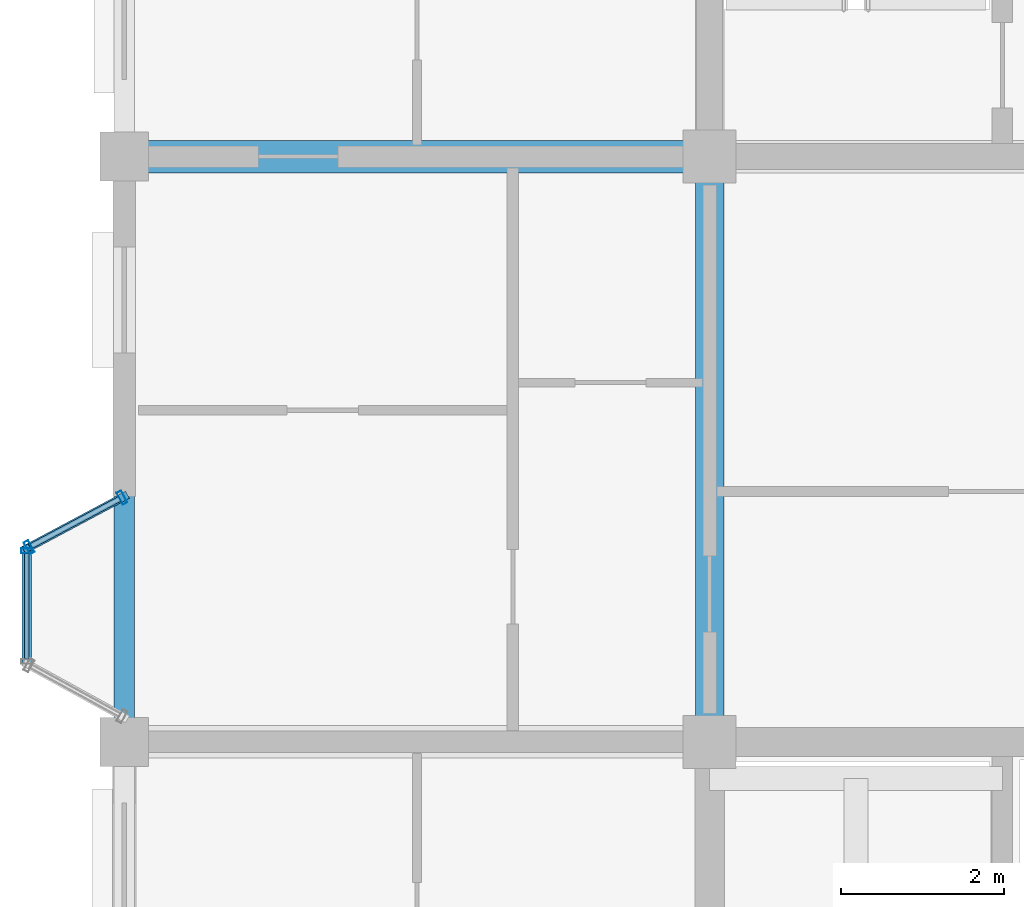
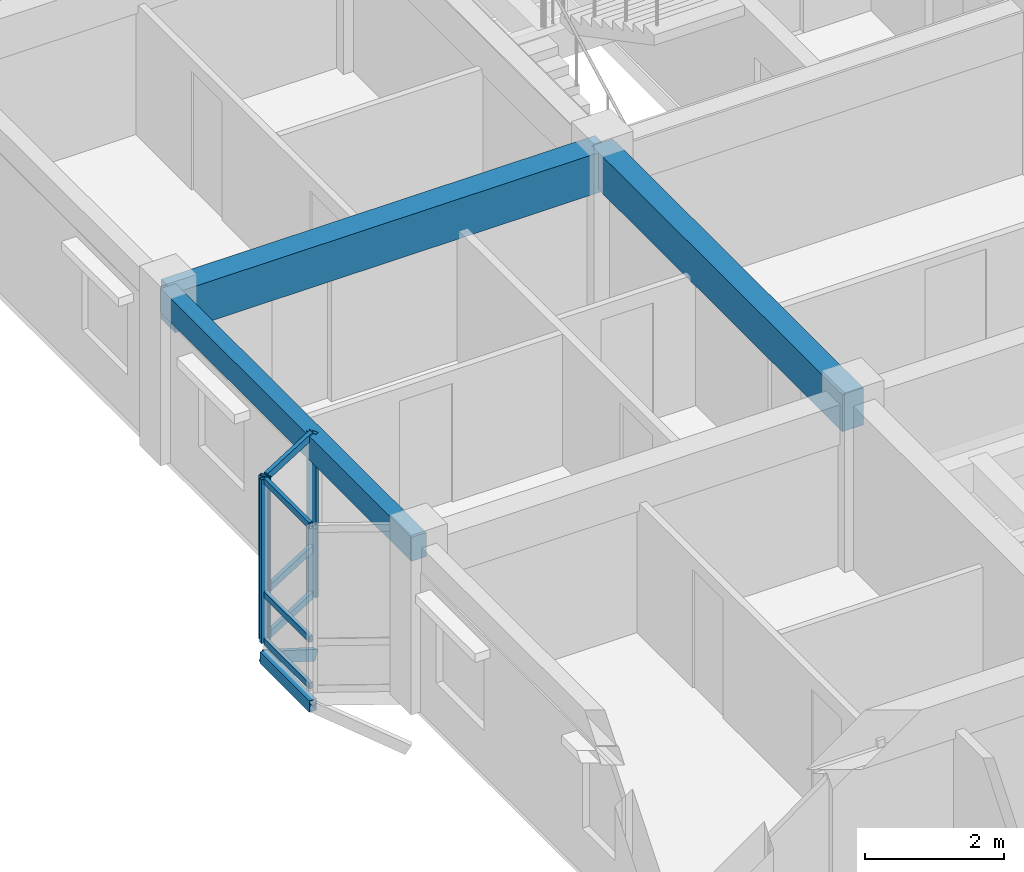
# One storey, part 9 of 124: 11 members, 3 beams, 2 elements without a shape of their own.
"""IFC4 building model written with IfcOpenShell, lengths in metres."""

from ifc_helpers import new_model, si_unit, direction, frame, origin, origin_2d, place, context, subcontext, project, spatial, rectangle, hollow_rectangle, extrude, material, layer, layer_set, material_profile, profile_set, type_object, element, aggregate, save


model = new_model("IFC4")

# Units and contexts
model_context = context("Model", 3, precision=1e-05, world=origin(), true_north=direction((0.0, 1.0)))
body_context = subcontext(model_context, "Body", "Model", "MODEL_VIEW")
ifc_project = project(units=[si_unit("LENGTHUNIT", "METRE"), si_unit("AREAUNIT", "SQUARE_METRE"), si_unit("VOLUMEUNIT", "CUBIC_METRE"), si_unit("PLANEANGLEUNIT", "RADIAN"), si_unit("MASSUNIT", "GRAM", prefix="KILO"), si_unit("THERMODYNAMICTEMPERATUREUNIT", "KELVIN"), si_unit("POWERUNIT", "WATT")], contexts=[model_context])

# Site, building, storey
site_placement = place(None, origin())
site = spatial("IfcSite", under=ifc_project, at=site_placement, CompositionType="ELEMENT")
building_placement = place(site_placement, origin())
building = spatial("IfcBuilding", under=site, at=building_placement, Name="Tavuni Mirador Residences", CompositionType="ELEMENT")
storey_placement = place(building_placement, frame((0.0, 0.0, 7.64990234375)))
storey = spatial("IfcBuildingStorey", under=building, at=storey_placement, Name="L02", CompositionType="ELEMENT", Elevation=7.64990234375)

# Beams
ifc_material_1 = material(Name="Precast concrete C40/50", Category="concrete")
ifc_material_profile_1 = material_profile(ifc_material_1, rectangle(XDim=0.35009765625, YDim=0.64990234375, at=origin_2d()), Name="PC 350x650", Category="concrete")
ifc_profile_set_1 = profile_set([ifc_material_profile_1], Name="Precast concrete C40/50")
beam_type_1 = type_object("IfcBeamType", Name="BT-B650", PredefinedType="BEAM", material=ifc_profile_set_1)
beam_1_placement = place(storey_placement, frame((10.800048828125, 21.60009765625, 2.545166015625), z_axis=(0.0, 1.0, 0.0), x_axis=(-1.0, 0.0, 0.0)))
element("IfcBeam", 1, at=beam_1_placement, inside=storey, type_object=beam_type_1, Name="BMY-BLK-A-L02-01-02", PredefinedType="BEAM", context=body_context, shape_type="SweptSolid", body=[
    extrude(rectangle(XDim=0.35009765625, YDim=0.64990234375, at=origin_2d()), origin(), (0.0, 0.0, 1.0), 7.199951171875),
])
ifc_material_profile_2 = material_profile(ifc_material_1, rectangle(XDim=0.39990234375, YDim=0.699951171875, at=origin_2d()), Name="PC 400x700", Category="concrete")
ifc_profile_set_2 = profile_set([ifc_material_profile_2], Name="Precast concrete C40/50")
beam_type_2 = type_object("IfcBeamType", Name="BT-B700", PredefinedType="BEAM", material=ifc_profile_set_2)
beam_2_placement = place(storey_placement, frame((3.60009765625, 28.800048828125, 2.52001953125), z_axis=(1.0, 0.0, 0.0), x_axis=(0.0, 1.0, 0.0)))
element("IfcBeam", 2, at=beam_2_placement, inside=storey, type_object=beam_type_2, Name="BMX-BLK-A-L02-00-03", PredefinedType="BEAM", context=body_context, shape_type="SweptSolid", body=[
    extrude(rectangle(XDim=0.39990234375, YDim=0.699951171875, at=origin_2d()), origin(), (0.0, 0.0, 1.0), 7.199951171875),
])
ifc_material_profile_3 = material_profile(ifc_material_1, rectangle(XDim=0.25, YDim=0.419921875, at=origin_2d()), Name="PC 250x420", Category="concrete")
ifc_profile_set_3 = profile_set([ifc_material_profile_3], Name="Precast concrete C40/50")
beam_type_3 = type_object("IfcBeamType", Name="BT-SP420", PredefinedType="SPANDREL", material=ifc_profile_set_3)
beam_3_placement = place(storey_placement, frame((3.60009765625, 21.60009765625, 2.66015625), z_axis=(0.0, 1.0, 0.0), x_axis=(-1.0, 0.0, 0.0)))
element("IfcBeam", 3, at=beam_3_placement, inside=storey, type_object=beam_type_3, Name="BMY-BLK-A-L02-00-02", PredefinedType="SPANDREL", context=body_context, shape_type="SweptSolid", body=[
    extrude(rectangle(XDim=0.25, YDim=0.419921875, at=origin_2d()), origin(), (0.0, 0.0, 1.0), 7.199951171875),
])

# Curtain wall, member
ifc_material_2 = material(Name="Anodised aluminium", Category="aluminium")
ifc_layer_1 = layer(ifc_material_2, 0.1650390625, Name="Anodised aluminium", Category="aluminium")
ifc_layer_set_1 = layer_set([ifc_layer_1], Name="Anodised aluminium")
curtain_wall_type_1 = type_object("IfcCurtainWallType", Name="CWT-MIR-A", PredefinedType="NOTDEFINED", material=ifc_layer_set_1)
curtain_wall_1_placement = place(storey_placement, origin())
curtain_wall_1 = element("IfcCurtainWall", 4, at=curtain_wall_1_placement, inside=storey, type_object=curtain_wall_type_1, Name="CW-MIR-A-W2-L02-MF", PredefinedType="NOTDEFINED")
ifc_material_profile_4 = material_profile(ifc_material_2, hollow_rectangle(XDim=0.06005859375, YDim=0.139892578125, WallThickness=0.00390625, at=origin_2d()), Name="ALU 60x140x4.0", Category="aluminium")
ifc_profile_set_4 = profile_set([ifc_material_profile_4], Name="Anodised aluminium")
member_type_1 = type_object("IfcMemberType", Name="CWM-140", PredefinedType="MULLION", material=ifc_profile_set_4)
member_1_placement = place(storey_placement, frame((2.39990234375, 23.949951171875, 0.0), z_axis=(0.0, 0.0, 1.0), x_axis=(0.0, -1.0, 0.0)))
member_1 = element("IfcMember", 5, at=member_1_placement, type_object=member_type_1, Name="CW-01 mullion 1", PredefinedType="MULLION", context=body_context, shape_type="SweptSolid", body=[
    extrude(hollow_rectangle(XDim=0.06005859375, YDim=0.139892578125, WallThickness=0.00390625, at=origin_2d()), origin(), (0.0, 0.0, 1.0), 2.8701171875),
])

# Curtain wall, members
ifc_layer_2 = layer(ifc_material_2, 0.159912109375, Name="Anodised aluminium", Category="aluminium")
ifc_layer_set_2 = layer_set([ifc_layer_2], Name="Anodised aluminium")
curtain_wall_type_2 = type_object("IfcCurtainWallType", Name="CWT-MIR-D", PredefinedType="NOTDEFINED", material=ifc_layer_set_2)
curtain_wall_2_placement = place(storey_placement, origin())
curtain_wall_2 = element("IfcCurtainWall", 6, at=curtain_wall_2_placement, inside=storey, type_object=curtain_wall_type_2, Name="CW-MIR-A-W2-L02-M1", PredefinedType="NOTDEFINED")
ifc_material_profile_5 = material_profile(ifc_material_2, hollow_rectangle(XDim=0.06494140625, YDim=0.1650390625, WallThickness=0.00439453125, at=origin_2d()), Name="ALU 65x165x4.5", Category="aluminium")
ifc_profile_set_5 = profile_set([ifc_material_profile_5], Name="Anodised aluminium")
member_type_2 = type_object("IfcMemberType", Name="CWM-165", PredefinedType="MULLION", material=ifc_profile_set_5)
member_2_placement = place(storey_placement, frame((3.5712890625, 24.604736328125, 0.0), z_axis=(0.0, 0.0, 1.0), x_axis=(-0.882352941175, -0.470588235296, 0.0)))
member_2 = element("IfcMember", 7, at=member_2_placement, type_object=member_type_2, Name="CW-04 mullion 1", PredefinedType="MULLION", context=body_context, shape_type="SweptSolid", body=[
    extrude(hollow_rectangle(XDim=0.06494140625, YDim=0.1650390625, WallThickness=0.00439453125, at=origin_2d()), origin(), (0.0, 0.0, 1.0), 2.8701171875),
])
member_3_placement = place(storey_placement, frame((2.4287109375, 23.995361328125, 0.0), z_axis=(0.0, 0.0, 1.0), x_axis=(-0.882352941175, -0.470588235296, 0.0)))
member_3 = element("IfcMember", 8, at=member_3_placement, type_object=member_type_2, Name="CW-04 mullion 2", PredefinedType="MULLION", context=body_context, shape_type="SweptSolid", body=[
    extrude(hollow_rectangle(XDim=0.06494140625, YDim=0.1650390625, WallThickness=0.00439453125, at=origin_2d()), origin(), (0.0, 0.0, 1.0), 2.8701171875),
])

# Member
ifc_material_profile_6 = material_profile(ifc_material_2, hollow_rectangle(XDim=0.06005859375, YDim=0.110107421875, WallThickness=0.00390625, at=origin_2d()), Name="ALU 60x110x4.0", Category="aluminium")
ifc_profile_set_6 = profile_set([ifc_material_profile_6], Name="Anodised aluminium")
member_type_3 = type_object("IfcMemberType", Name="CWT-110", PredefinedType="USERDEFINED", material=ifc_profile_set_6)
member_4_placement = place(storey_placement, frame((2.39990234375, 23.919921875, 0.030029296875), z_axis=(0.0, -1.0, 0.0), x_axis=(1.0, 0.0, 0.0)))
member_4 = element("IfcMember", 9, at=member_4_placement, type_object=member_type_3, Name="CW-01 transom 1.1", ObjectType="TRANSOM", PredefinedType="USERDEFINED", context=body_context, shape_type="SweptSolid", body=[
    extrude(hollow_rectangle(XDim=0.06005859375, YDim=0.110107421875, WallThickness=0.00390625, at=origin_2d()), origin(), (0.0, 0.0, 1.0), 1.2998046875),
])

member_5_placement = place(storey_placement, frame((2.39990234375, 23.919921875, 0.85009765625), z_axis=(0.0, -1.0, 0.0), x_axis=(1.0, 0.0, 0.0)))
member_5 = element("IfcMember", 10, at=member_5_placement, type_object=member_type_3, Name="CW-01 transom 1.2", ObjectType="TRANSOM", PredefinedType="USERDEFINED", context=body_context, shape_type="SweptSolid", body=[
    extrude(hollow_rectangle(XDim=0.06005859375, YDim=0.110107421875, WallThickness=0.00390625, at=origin_2d()), origin(), (0.0, 0.0, 1.0), 1.2998046875),
])

member_6_placement = place(storey_placement, frame((2.39990234375, 23.919921875, 2.840087890625), z_axis=(0.0, -1.0, 0.0), x_axis=(1.0, 0.0, 0.0)))
member_6 = element("IfcMember", 11, at=member_6_placement, type_object=member_type_3, Name="CW-01 transom 1.3", ObjectType="TRANSOM", PredefinedType="USERDEFINED", context=body_context, shape_type="SweptSolid", body=[
    extrude(hollow_rectangle(XDim=0.06005859375, YDim=0.110107421875, WallThickness=0.00390625, at=origin_2d()), origin(), (0.0, 0.0, 1.0), 1.2998046875),
])

aggregate(curtain_wall_1, [member_1, member_4, member_5, member_6])

ifc_material_profile_7 = material_profile(ifc_material_2, hollow_rectangle(XDim=0.06494140625, YDim=0.125, WallThickness=0.00439453125, at=origin_2d()), Name="ALU 65x125x4.5", Category="aluminium")
ifc_profile_set_7 = profile_set([ifc_material_profile_7], Name="Anodised aluminium")
member_type_4 = type_object("IfcMemberType", Name="CWT-125", PredefinedType="USERDEFINED", material=ifc_profile_set_7)
member_7_placement = place(storey_placement, frame((3.542724609375, 24.58935546875, 0.03271484375), z_axis=(-0.882369422046, -0.47055733236, 0.0), x_axis=(0.47055733236, -0.882369422046, 0.0)))
member_7 = element("IfcMember", 12, at=member_7_placement, type_object=member_type_4, Name="CW-04 transom 1.1", ObjectType="TRANSOM", PredefinedType="USERDEFINED", context=body_context, shape_type="SweptSolid", body=[
    extrude(hollow_rectangle(XDim=0.06494140625, YDim=0.125, WallThickness=0.00439453125, at=origin_2d()), origin(), (0.0, 0.0, 1.0), 1.230224609375),
])

member_8_placement = place(storey_placement, frame((3.542724609375, 24.58935546875, 0.85009765625), z_axis=(-0.882369422046, -0.47055733236, 0.0), x_axis=(0.47055733236, -0.882369422046, 0.0)))
member_8 = element("IfcMember", 13, at=member_8_placement, type_object=member_type_4, Name="CW-04 transom 1.2", ObjectType="TRANSOM", PredefinedType="USERDEFINED", context=body_context, shape_type="SweptSolid", body=[
    extrude(hollow_rectangle(XDim=0.06494140625, YDim=0.125, WallThickness=0.00439453125, at=origin_2d()), origin(), (0.0, 0.0, 1.0), 1.230224609375),
])

member_9_placement = place(storey_placement, frame((3.542724609375, 24.58935546875, 2.837646484375), z_axis=(-0.882369422046, -0.47055733236, 0.0), x_axis=(0.47055733236, -0.882369422046, 0.0)))
member_9 = element("IfcMember", 14, at=member_9_placement, type_object=member_type_4, Name="CW-04 transom 1.3", ObjectType="TRANSOM", PredefinedType="USERDEFINED", context=body_context, shape_type="SweptSolid", body=[
    extrude(hollow_rectangle(XDim=0.06494140625, YDim=0.125, WallThickness=0.00439453125, at=origin_2d()), origin(), (0.0, 0.0, 1.0), 1.230224609375),
])

aggregate(curtain_wall_2, [member_2, member_3, member_7, member_8, member_9])

# Members
ifc_material_3 = material(Name="Structural steel S355", Category="steel")
ifc_material_profile_8 = material_profile(ifc_material_3, hollow_rectangle(XDim=0.10009765625, YDim=0.179931640625, WallThickness=0.008056640625, at=origin_2d()), Name="RHS 180x100x8.0", Category="steel")
ifc_profile_set_8 = profile_set([ifc_material_profile_8], Name="Structural steel S355")
member_type_5 = type_object("IfcMemberType", Name="MT-BR-RHS180", PredefinedType="BRACE", material=ifc_profile_set_8)
member_10_placement = place(storey_placement, frame((3.60009765625, 24.6201171875, -1.0498046875), z_axis=(-0.767847080655, -0.409539268811, 0.492634192918), x_axis=(0.470606866739, -0.882343004153, 0.0)))
element("IfcMember", 15, at=member_10_placement, inside=storey, type_object=member_type_5, Name="MBRK-MIR-A-W2-L02-2", PredefinedType="BRACE", context=body_context, shape_type="SweptSolid", body=[
    extrude(hollow_rectangle(XDim=0.10009765625, YDim=0.179931640625, WallThickness=0.008056640625, at=origin_2d()), origin(), (0.0, 0.0, 1.0), 1.56298828125),
])
ifc_material_profile_9 = material_profile(ifc_material_3, hollow_rectangle(XDim=0.1201171875, YDim=0.199951171875, WallThickness=0.010009765625, at=origin_2d()), Name="RHS 200x120x10.0", Category="steel")
ifc_profile_set_9 = profile_set([ifc_material_profile_9], Name="Structural steel S355")
member_type_6 = type_object("IfcMemberType", Name="MT-ST-RHS200", PredefinedType="STRUT", material=ifc_profile_set_9)
member_11_placement = place(storey_placement, frame((2.39990234375, 22.56005859375, -0.27978515625), z_axis=(0.0, 1.0, 0.0), x_axis=(-1.0, 0.0, 0.0)))
element("IfcMember", 16, at=member_11_placement, inside=storey, type_object=member_type_6, Name="MRIM-MIR-A-W2-L02", PredefinedType="STRUT", context=body_context, shape_type="SweptSolid", body=[
    extrude(hollow_rectangle(XDim=0.1201171875, YDim=0.199951171875, WallThickness=0.010009765625, at=origin_2d()), origin(), (0.0, 0.0, 1.0), 1.419921875),
])

save(model, "model.ifc")
